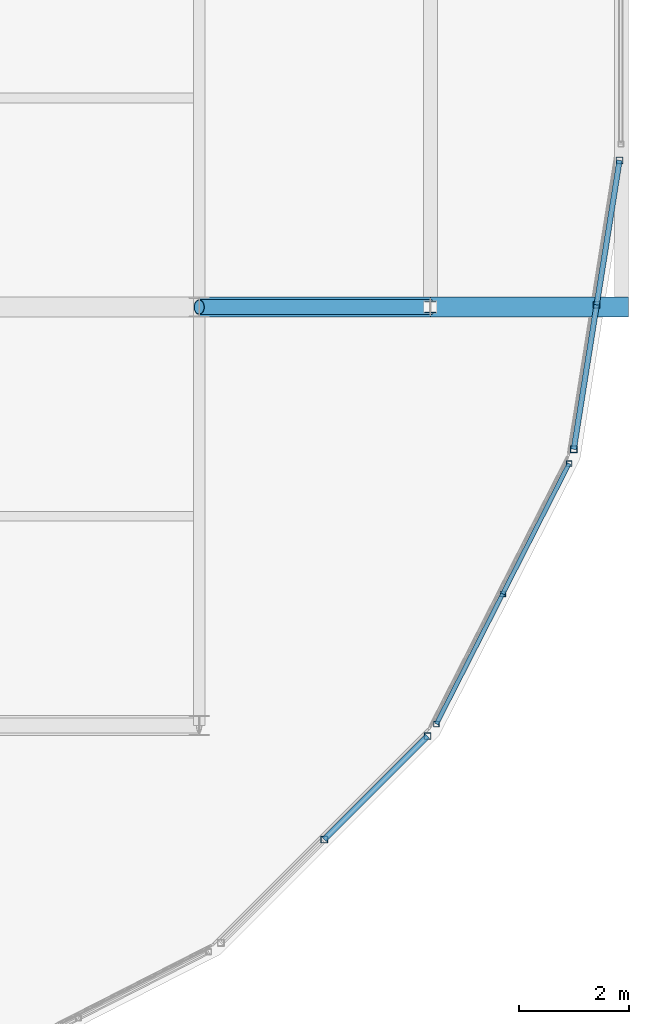
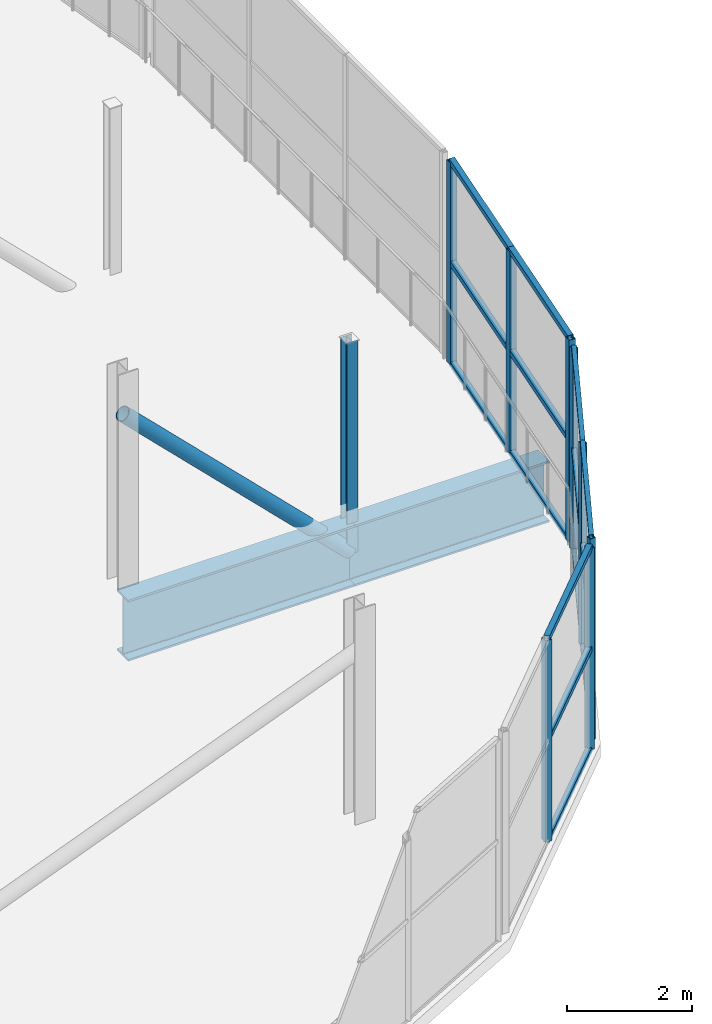
# One storey, part 149 of 217: 25 members, 2 beams, 3 elements without a shape of their own.
"""IFC4 building model written with IfcOpenShell, lengths in metres."""

import ifcopenshell
import ifcopenshell.guid

model = None  # the IFC model being written
_history = None  # IfcOwnerHistory: only IFC2X3 demands one
_inside = {}  # id of a spatial element -> (the spatial element, [elements in it])
_under = {}  # id of a project, library or spatial element -> (it, [spatial elements below it])
_declared = {}  # id of a project -> (the project, [libraries it declares])
_typed = {}  # id of a type object -> (the type object, [elements of that type])
_made_of = {}  # id of a material, layer set ... -> (it, [elements and type objects made of it])


def new_model(schema):
    """Start an empty IFC model of exactly this schema.

    Asked for "IFC4X3", IfcOpenShell would pick the latest addendum, in which some entities
    have other attributes; the version numbers below select the first issue.
    IFC2X3 requires an IfcOwnerHistory on every rooted entity: one is made here for all.
    """
    global model, _history
    if schema == "IFC4X3":
        model = ifcopenshell.file(schema_version=(4, 3, 0, 0))
    else:
        model = ifcopenshell.file(schema=schema)
    _inside.clear()
    _under.clear()
    _declared.clear()
    _typed.clear()
    _made_of.clear()
    _history = None
    if model.schema == "IFC2X3":
        org = make("IfcOrganization", Name="unknown")
        user = make(
            "IfcPersonAndOrganization",
            ThePerson=make("IfcPerson", FamilyName="unknown"),
            TheOrganization=org,
        )
        app = make(
            "IfcApplication",
            ApplicationDeveloper=org,
            Version="unknown",
            ApplicationFullName="unknown",
            ApplicationIdentifier="unknown",
        )
        _history = make(
            "IfcOwnerHistory",
            OwningUser=user,
            OwningApplication=app,
            ChangeAction="ADDED",
            CreationDate=0,
        )
    return model


def make(cls, **values):
    """One entity of the class cls with the attributes given. An attribute that is None is left unset."""
    return model.create_entity(
        cls, **{name: value for name, value in values.items() if value is not None}
    )


def rooted(cls, **values):
    """An entity with a GlobalId (a new one), such as an element, a storey or a relation."""
    return make(cls, GlobalId=ifcopenshell.guid.new(), OwnerHistory=_history, **values)


def si_unit(unit_type, name, prefix=None):
    """IfcSIUnit, for example si_unit("LENGTHUNIT", "METRE", prefix="MILLI")."""
    return make("IfcSIUnit", UnitType=unit_type, Prefix=prefix, Name=name)


def assignment(units):
    """IfcUnitAssignment: the units of a project."""
    return None if units is None else make("IfcUnitAssignment", Units=units)


def point(xyz):
    """IfcCartesianPoint."""
    return None if xyz is None else make("IfcCartesianPoint", Coordinates=xyz)


def direction(xyz):
    """IfcDirection."""
    return None if xyz is None else make("IfcDirection", DirectionRatios=xyz)


def frame(location, z_axis=None, x_axis=None):
    """IfcAxis2Placement3D, a coordinate frame: its origin and axes. An axis left out is left unset."""
    return make(
        "IfcAxis2Placement3D",
        Location=point(location),
        Axis=direction(z_axis),
        RefDirection=direction(x_axis),
    )


def frame_2d(location, x_axis=None):
    """IfcAxis2Placement2D, a coordinate frame in the plane: its origin and x axis."""
    return make(
        "IfcAxis2Placement2D", Location=point(location), RefDirection=direction(x_axis)
    )


def origin():
    """The frame at (0, 0, 0) with its axes left unset."""
    return frame((0.0, 0.0, 0.0))


def origin_2d():
    """The frame at (0, 0) in the plane with its x axis left unset."""
    return frame_2d((0.0, 0.0))


def place(relative_to, where):
    """IfcLocalPlacement: puts the frame where relative to a parent placement (None: the world)."""
    return make(
        "IfcLocalPlacement", PlacementRelTo=relative_to, RelativePlacement=where
    )


def context(
    kind, dimensions, precision=None, world=None, true_north=None, identifier=None
):
    """IfcGeometricRepresentationContext, for example the 3D "Model" context."""
    return make(
        "IfcGeometricRepresentationContext",
        ContextIdentifier=identifier,
        ContextType=kind,
        CoordinateSpaceDimension=dimensions,
        Precision=precision,
        WorldCoordinateSystem=world,
        TrueNorth=true_north,
    )


def subcontext(parent, identifier, kind, view, scale=None):
    """IfcGeometricRepresentationSubContext, for example "Body" below "Model"."""
    return make(
        "IfcGeometricRepresentationSubContext",
        ContextIdentifier=identifier,
        ContextType=kind,
        ParentContext=parent,
        TargetScale=scale,
        TargetView=view,
    )


def project(units=None, contexts=None):
    """IfcProject with its units and contexts."""
    return rooted(
        "IfcProject",
        Name="project",
        RepresentationContexts=contexts,
        UnitsInContext=assignment(units),
    )


def spatial(cls, under=None, at=None, **own):
    """A site, building, storey or space (cls), placed at a placement, below another one or the project."""
    s = rooted(cls, ObjectPlacement=at, **own)
    if under is not None:
        _under.setdefault(under.id(), (under, []))[1].append(s)
    return s


def profile(cls, at=None, kind="AREA", **sizes):
    """A parametric profile (cls). Its sizes go by their IFC names, for example OverallWidth=200.0."""
    return make(cls, ProfileType=kind, Position=at, **sizes)


def hollow_rectangle(**sizes):
    """IfcRectangleHollowProfileDef."""
    return profile("IfcRectangleHollowProfileDef", **sizes)


def hollow_circle(**sizes):
    """IfcCircleHollowProfileDef."""
    return profile("IfcCircleHollowProfileDef", **sizes)


def i_section(**sizes):
    """IfcIShapeProfileDef."""
    return profile("IfcIShapeProfileDef", **sizes)


def extrude(swept, where, along, depth):
    """IfcExtrudedAreaSolid: the profile swept, set in the frame where, extruded along a direction by depth."""
    return make(
        "IfcExtrudedAreaSolid",
        SweptArea=swept,
        Position=where,
        ExtrudedDirection=direction(along),
        Depth=depth,
    )


def shape(context_of_items, identifier, shape_type, items):
    """IfcShapeRepresentation: the items that make up one representation, for example the "Body"."""
    return make(
        "IfcShapeRepresentation",
        ContextOfItems=context_of_items,
        RepresentationIdentifier=identifier,
        RepresentationType=shape_type,
        Items=items,
    )


def material(Name=None, Category=None):
    """IfcMaterial."""
    return make("IfcMaterial", Name=Name, Category=Category)


def material_profile(
    of_material, cross_section, Name=None, Category=None, Priority=None
):
    """IfcMaterialProfile: a cross section and its material."""
    return make(
        "IfcMaterialProfile",
        Name=Name,
        Material=of_material,
        Profile=cross_section,
        Priority=Priority,
        Category=Category,
    )


def profile_set(profiles, Name=None, composite=None):
    """IfcMaterialProfileSet."""
    return make(
        "IfcMaterialProfileSet",
        Name=Name,
        MaterialProfiles=profiles,
        CompositeProfile=composite,
    )


def made_of(thing, what):
    """Note that an element or type object is made of a material, layer set ...; save() writes the relation."""
    if what is not None:
        _made_of.setdefault(what.id(), (what, []))[1].append(thing)
    return thing


def type_object(cls, material=None, **own):
    """A type object (cls), such as IfcWallType, which elements share."""
    return made_of(rooted(cls, **own), material)


def element(
    cls,
    number,
    at=None,
    inside=None,
    cuts=None,
    type_object=None,
    material=None,
    context=None,
    identifier="Body",
    shape_type=None,
    held_by="IfcProductDefinitionShape",
    body=None,
    shapes=None,
    **own,
):
    """One element of the class cls, such as IfcWall. Its Tag is "e" and its number.

    at: its placement. inside: the storey or other place that contains it. cuts: it is an
    opening in that element (IfcRelVoidsElement). A single representation is given by context,
    identifier, shape_type and body (its items); several are given by shapes. held_by: the class
    of the entity that holds the representations. save() writes the other relations.
    """
    e = rooted(cls, Tag="e%d" % number, ObjectPlacement=at, **own)
    if body is not None:
        shapes = [shape(context, identifier, shape_type, body)]
    if shapes is not None:
        e.Representation = make(held_by, Representations=shapes)
    if inside is not None:
        _inside.setdefault(inside.id(), (inside, []))[1].append(e)
    if cuts is not None:
        rooted(
            "IfcRelVoidsElement", RelatingBuildingElement=cuts, RelatedOpeningElement=e
        )
    if type_object is not None:
        _typed.setdefault(type_object.id(), (type_object, []))[1].append(e)
    return made_of(e, material)


def aggregate(whole, parts):
    """IfcRelAggregates: a whole, such as a stair, and the parts it consists of."""
    return rooted("IfcRelAggregates", RelatingObject=whole, RelatedObjects=parts)


def save(model, path):
    """Write the relations noted so far, then the file.

    IfcRelAggregates (storeys below a building ...), IfcRelContainedInSpatialStructure (elements
    in a storey), IfcRelDefinesByType, IfcRelAssociatesMaterial and IfcRelDeclares: one each for
    every whole, place, type object, material and project.
    """
    for whole, parts in _under.values():
        aggregate(whole, parts)
    for where, things in _inside.values():
        rooted(
            "IfcRelContainedInSpatialStructure",
            RelatedElements=things,
            RelatingStructure=where,
        )
    for kind, things in _typed.values():
        rooted("IfcRelDefinesByType", RelatedObjects=things, RelatingType=kind)
    for what, things in _made_of.values():
        rooted("IfcRelAssociatesMaterial", RelatedObjects=things, RelatingMaterial=what)
    for by, libraries in _declared.values():
        rooted("IfcRelDeclares", RelatingContext=by, RelatedDefinitions=libraries)
    model.write(path)


model = new_model("IFC4")

# Units and contexts
model_context = context("Model", 3, precision=1e-05, world=origin(), true_north=direction((0.0, 1.0)))
body_context = subcontext(model_context, "Body", "Model", "MODEL_VIEW")
ifc_project = project(units=[si_unit("LENGTHUNIT", "METRE"), si_unit("AREAUNIT", "SQUARE_METRE"), si_unit("VOLUMEUNIT", "CUBIC_METRE"), si_unit("PLANEANGLEUNIT", "RADIAN"), si_unit("MASSUNIT", "GRAM", prefix="KILO")], contexts=[model_context])

# Site, building, storey
site_placement = place(None, origin())
site = spatial("IfcSite", under=ifc_project, at=site_placement, CompositionType="ELEMENT")
building_placement = place(site_placement, origin())
building = spatial("IfcBuilding", under=site, at=building_placement, Name="Zuvorla Pavilion Media Centre", CompositionType="ELEMENT")
storey_placement = place(building_placement, frame((0.0, 0.0, 9.60009765625)))
storey = spatial("IfcBuildingStorey", under=building, at=storey_placement, Name="L02", CompositionType="ELEMENT", Elevation=9.60009765625)

# Beams
ifc_material_1 = material(Name="Steel S355", Category="steel")
ifc_material_profile_1 = material_profile(ifc_material_1, i_section(OverallWidth=0.360107421875, OverallDepth=1.199951171875, WebThickness=0.02001953125, FlangeThickness=0.0380859375, FilletRadius=0.02392578125, at=origin_2d()), Name="PG 1200x360x38")
ifc_profile_set_1 = profile_set([ifc_material_profile_1], Name="Steel S355")
beam_type = type_object("IfcBeamType", Name="BM-PG1200", PredefinedType="BEAM", material=ifc_profile_set_1)
beam_1_placement = place(storey_placement, frame((167.60009765625, 59.199951171875, -0.8681640625), z_axis=(1.0, 0.0, 0.0), x_axis=(0.0, 1.0, 0.0)))
element("IfcBeam", 1, at=beam_1_placement, inside=storey, type_object=beam_type, Name="L02 beam B01 1669", PredefinedType="BEAM", context=body_context, shape_type="SweptSolid", body=[
    extrude(i_section(OverallWidth=0.360107421875, OverallDepth=1.199951171875, WebThickness=0.02001953125, FlangeThickness=0.0380859375, FilletRadius=0.02392578125, at=origin_2d()), origin(), (0.0, 0.0, 1.0), 4.199951171875),
])
beam_2_placement = place(storey_placement, frame((171.800048828125, 59.199951171875, -0.8681640625), z_axis=(1.0, 0.0, 0.0), x_axis=(0.0, 1.0, 0.0)))
element("IfcBeam", 2, at=beam_2_placement, inside=storey, type_object=beam_type, Name="L02 beam B01 1670", PredefinedType="BEAM", context=body_context, shape_type="SweptSolid", body=[
    extrude(i_section(OverallWidth=0.360107421875, OverallDepth=1.199951171875, WebThickness=0.02001953125, FlangeThickness=0.0380859375, FilletRadius=0.02392578125, at=origin_2d()), origin(), (0.0, 0.0, 1.0), 3.599853515625),
])

# Curtain wall, members
ifc_material_2 = material(Name="Unitised anodised aluminium and solar glass curtain wall", Category="aluminium")
curtain_wall_type_1 = type_object("IfcCurtainWallType", Name="CW-SYS-04", PredefinedType="USERDEFINED", material=ifc_material_2)
curtain_wall_1_placement = place(storey_placement, origin())
curtain_wall_1 = element("IfcCurtainWall", 3, at=curtain_wall_1_placement, inside=storey, type_object=curtain_wall_type_1, Name="L02 curtain wall CW04 4", ObjectType="CURTAIN WALL", PredefinedType="USERDEFINED")
ifc_material_3 = material(Name="Anodised aluminium 6063-T6", Category="aluminium")
ifc_material_profile_2 = material_profile(ifc_material_3, hollow_rectangle(XDim=0.10009765625, YDim=0.10009765625, WallThickness=0.00439453125, at=origin_2d()), Name="ALU MULL 100x100")
ifc_profile_set_2 = profile_set([ifc_material_profile_2], Name="Anodised aluminium 6063-T6")
member_type_1 = type_object("IfcMemberType", Name="CW-MULL-100", PredefinedType="MULLION", material=ifc_profile_set_2)
member_1_placement = place(storey_placement, frame((171.91015625, 51.6259765625, 0.0), z_axis=(0.0, 0.0, 1.0), x_axis=(1.0, 0.0, 0.0)))
member_1 = element("IfcMember", 4, at=member_1_placement, type_object=member_type_1, Name="CW04 mullion 1", PredefinedType="MULLION", context=body_context, shape_type="SweptSolid", body=[
    extrude(hollow_rectangle(XDim=0.10009765625, YDim=0.10009765625, WallThickness=0.00439453125, at=origin_2d()), origin(), (0.0, 0.0, 1.0), 3.949951171875),
])
member_2_placement = place(storey_placement, frame((173.115966796875, 53.992431640625, 0.0), z_axis=(0.0, 0.0, 1.0), x_axis=(1.0, 0.0, 0.0)))
member_2 = element("IfcMember", 5, at=member_2_placement, type_object=member_type_1, Name="CW04 mullion 2", PredefinedType="MULLION", context=body_context, shape_type="SweptSolid", body=[
    extrude(hollow_rectangle(XDim=0.10009765625, YDim=0.10009765625, WallThickness=0.00439453125, at=origin_2d()), origin(), (0.0, 0.0, 1.0), 3.949951171875),
])
member_3_placement = place(storey_placement, frame((174.321533203125, 56.358642578125, 0.0), z_axis=(0.0, 0.0, 1.0), x_axis=(1.0, 0.0, 0.0)))
member_3 = element("IfcMember", 6, at=member_3_placement, type_object=member_type_1, Name="CW04 mullion 3", PredefinedType="MULLION", context=body_context, shape_type="SweptSolid", body=[
    extrude(hollow_rectangle(XDim=0.10009765625, YDim=0.10009765625, WallThickness=0.00439453125, at=origin_2d()), origin(), (0.0, 0.0, 1.0), 3.949951171875),
])

curtain_wall_type_2 = type_object("IfcCurtainWallType", Name="CW-SYS-03", PredefinedType="USERDEFINED", material=ifc_material_2)
curtain_wall_2_placement = place(storey_placement, origin())
curtain_wall_2 = element("IfcCurtainWall", 7, at=curtain_wall_2_placement, inside=storey, type_object=curtain_wall_type_2, Name="L02 curtain wall CW03 3", ObjectType="CURTAIN WALL", PredefinedType="USERDEFINED")
ifc_material_profile_3 = material_profile(ifc_material_3, hollow_rectangle(XDim=0.1201171875, YDim=0.1201171875, WallThickness=0.0048828125, at=origin_2d()), Name="ALU MULL 120x120")
ifc_profile_set_3 = profile_set([ifc_material_profile_3], Name="Anodised aluminium 6063-T6")
member_type_2 = type_object("IfcMemberType", Name="CW-MULL-120", PredefinedType="MULLION", material=ifc_profile_set_3)
member_4_placement = place(storey_placement, frame((169.872314453125, 49.52783203125, 0.0), z_axis=(0.0, 0.0, 1.0), x_axis=(1.0, 0.0, 0.0)))
member_4 = element("IfcMember", 8, at=member_4_placement, type_object=member_type_2, Name="CW03 mullion 2", PredefinedType="MULLION", context=body_context, shape_type="SweptSolid", body=[
    extrude(hollow_rectangle(XDim=0.1201171875, YDim=0.1201171875, WallThickness=0.0048828125, at=origin_2d()), origin(), (0.0, 0.0, 1.0), 3.949951171875),
])
member_5_placement = place(storey_placement, frame((171.750244140625, 51.40576171875, 0.0), z_axis=(0.0, 0.0, 1.0), x_axis=(1.0, 0.0, 0.0)))
member_5 = element("IfcMember", 9, at=member_5_placement, type_object=member_type_2, Name="CW03 mullion 3", PredefinedType="MULLION", context=body_context, shape_type="SweptSolid", body=[
    extrude(hollow_rectangle(XDim=0.1201171875, YDim=0.1201171875, WallThickness=0.0048828125, at=origin_2d()), origin(), (0.0, 0.0, 1.0), 3.949951171875),
])

curtain_wall_type_3 = type_object("IfcCurtainWallType", Name="CW-SYS-02", PredefinedType="USERDEFINED", material=ifc_material_2)
curtain_wall_3_placement = place(storey_placement, origin())
curtain_wall_3 = element("IfcCurtainWall", 10, at=curtain_wall_3_placement, inside=storey, type_object=curtain_wall_type_3, Name="L02 curtain wall CW02 5", ObjectType="CURTAIN WALL", PredefinedType="USERDEFINED")
member_6_placement = place(storey_placement, frame((174.40576171875, 56.61767578125, 0.0), z_axis=(0.0, 0.0, 1.0), x_axis=(1.0, 0.0, 0.0)))
member_6 = element("IfcMember", 11, at=member_6_placement, type_object=member_type_2, Name="CW02 mullion 1", PredefinedType="MULLION", context=body_context, shape_type="SweptSolid", body=[
    extrude(hollow_rectangle(XDim=0.1201171875, YDim=0.1201171875, WallThickness=0.0048828125, at=origin_2d()), origin(), (0.0, 0.0, 1.0), 3.949951171875),
])
member_7_placement = place(storey_placement, frame((174.8212890625, 59.24072265625, 0.0), z_axis=(0.0, 0.0, 1.0), x_axis=(1.0, 0.0, 0.0)))
member_7 = element("IfcMember", 12, at=member_7_placement, type_object=member_type_2, Name="CW02 mullion 2", PredefinedType="MULLION", context=body_context, shape_type="SweptSolid", body=[
    extrude(hollow_rectangle(XDim=0.1201171875, YDim=0.1201171875, WallThickness=0.0048828125, at=origin_2d()), origin(), (0.0, 0.0, 1.0), 3.949951171875),
])
member_8_placement = place(storey_placement, frame((175.23681640625, 61.864013671875, 0.0), z_axis=(0.0, 0.0, 1.0), x_axis=(1.0, 0.0, 0.0)))
member_8 = element("IfcMember", 13, at=member_8_placement, type_object=member_type_2, Name="CW02 mullion 3", PredefinedType="MULLION", context=body_context, shape_type="SweptSolid", body=[
    extrude(hollow_rectangle(XDim=0.1201171875, YDim=0.1201171875, WallThickness=0.0048828125, at=origin_2d()), origin(), (0.0, 0.0, 1.0), 3.949951171875),
])

# Member
ifc_material_profile_4 = material_profile(ifc_material_3, hollow_rectangle(XDim=0.10009765625, YDim=0.10009765625, WallThickness=0.00439453125, at=origin_2d()), Name="ALU TRAN 100x100")
ifc_profile_set_4 = profile_set([ifc_material_profile_4], Name="Anodised aluminium 6063-T6")
member_type_3 = type_object("IfcMemberType", Name="CW-TRAN-100", PredefinedType="USERDEFINED", material=ifc_profile_set_4)
member_9_placement = place(storey_placement, frame((169.872314453125, 49.52783203125, 0.0), z_axis=(0.707106781187, 0.707106781187, 0.0), x_axis=(-0.707106781187, 0.707106781187, 0.0)))
member_9 = element("IfcMember", 14, at=member_9_placement, type_object=member_type_3, Name="CW03 transom 2.1", ObjectType="TRANSOM", PredefinedType="USERDEFINED", context=body_context, shape_type="SweptSolid", body=[
    extrude(hollow_rectangle(XDim=0.10009765625, YDim=0.10009765625, WallThickness=0.00439453125, at=origin_2d()), origin(), (0.0, 0.0, 1.0), 2.65576171875),
])

member_10_placement = place(storey_placement, frame((169.872314453125, 49.52783203125, 1.974853515625), z_axis=(0.707106781187, 0.707106781187, 0.0), x_axis=(-0.707106781187, 0.707106781187, 0.0)))
member_10 = element("IfcMember", 15, at=member_10_placement, type_object=member_type_3, Name="CW03 transom 2.2", ObjectType="TRANSOM", PredefinedType="USERDEFINED", context=body_context, shape_type="SweptSolid", body=[
    extrude(hollow_rectangle(XDim=0.10009765625, YDim=0.10009765625, WallThickness=0.00439453125, at=origin_2d()), origin(), (0.0, 0.0, 1.0), 2.65576171875),
])

member_11_placement = place(storey_placement, frame((169.872314453125, 49.52783203125, 3.949951171875), z_axis=(0.707106781187, 0.707106781187, 0.0), x_axis=(-0.707106781187, 0.707106781187, 0.0)))
member_11 = element("IfcMember", 16, at=member_11_placement, type_object=member_type_3, Name="CW03 transom 2.3", ObjectType="TRANSOM", PredefinedType="USERDEFINED", context=body_context, shape_type="SweptSolid", body=[
    extrude(hollow_rectangle(XDim=0.10009765625, YDim=0.10009765625, WallThickness=0.00439453125, at=origin_2d()), origin(), (0.0, 0.0, 1.0), 2.65576171875),
])

aggregate(curtain_wall_2, [member_4, member_5, member_9, member_10, member_11])

member_12_placement = place(storey_placement, frame((174.40576171875, 56.61767578125, 0.0), z_axis=(0.156462944686, 0.987683829441, 0.0), x_axis=(-0.987683829441, 0.156462944686, 0.0)))
member_12 = element("IfcMember", 17, at=member_12_placement, type_object=member_type_3, Name="CW02 transom 1.1", ObjectType="TRANSOM", PredefinedType="USERDEFINED", context=body_context, shape_type="SweptSolid", body=[
    extrude(hollow_rectangle(XDim=0.10009765625, YDim=0.10009765625, WallThickness=0.00439453125, at=origin_2d()), origin(), (0.0, 0.0, 1.0), 2.65576171875),
])

member_13_placement = place(storey_placement, frame((174.40576171875, 56.61767578125, 1.974853515625), z_axis=(0.156462944686, 0.987683829441, 0.0), x_axis=(-0.987683829441, 0.156462944686, 0.0)))
member_13 = element("IfcMember", 18, at=member_13_placement, type_object=member_type_3, Name="CW02 transom 1.2", ObjectType="TRANSOM", PredefinedType="USERDEFINED", context=body_context, shape_type="SweptSolid", body=[
    extrude(hollow_rectangle(XDim=0.10009765625, YDim=0.10009765625, WallThickness=0.00439453125, at=origin_2d()), origin(), (0.0, 0.0, 1.0), 2.65576171875),
])

member_14_placement = place(storey_placement, frame((174.40576171875, 56.61767578125, 3.949951171875), z_axis=(0.156462944686, 0.987683829441, 0.0), x_axis=(-0.987683829441, 0.156462944686, 0.0)))
member_14 = element("IfcMember", 19, at=member_14_placement, type_object=member_type_3, Name="CW02 transom 1.3", ObjectType="TRANSOM", PredefinedType="USERDEFINED", context=body_context, shape_type="SweptSolid", body=[
    extrude(hollow_rectangle(XDim=0.10009765625, YDim=0.10009765625, WallThickness=0.00439453125, at=origin_2d()), origin(), (0.0, 0.0, 1.0), 2.65576171875),
])

member_15_placement = place(storey_placement, frame((174.8212890625, 59.24072265625, 0.0), z_axis=(0.156448739647, 0.987686079614, 0.0), x_axis=(-0.987686079614, 0.156448739647, 0.0)))
member_15 = element("IfcMember", 20, at=member_15_placement, type_object=member_type_3, Name="CW02 transom 2.1", ObjectType="TRANSOM", PredefinedType="USERDEFINED", context=body_context, shape_type="SweptSolid", body=[
    extrude(hollow_rectangle(XDim=0.10009765625, YDim=0.10009765625, WallThickness=0.00439453125, at=origin_2d()), origin(), (0.0, 0.0, 1.0), 2.656005859375),
])

member_16_placement = place(storey_placement, frame((174.8212890625, 59.24072265625, 1.974853515625), z_axis=(0.156448739647, 0.987686079614, 0.0), x_axis=(-0.987686079614, 0.156448739647, 0.0)))
member_16 = element("IfcMember", 21, at=member_16_placement, type_object=member_type_3, Name="CW02 transom 2.2", ObjectType="TRANSOM", PredefinedType="USERDEFINED", context=body_context, shape_type="SweptSolid", body=[
    extrude(hollow_rectangle(XDim=0.10009765625, YDim=0.10009765625, WallThickness=0.00439453125, at=origin_2d()), origin(), (0.0, 0.0, 1.0), 2.656005859375),
])

member_17_placement = place(storey_placement, frame((174.8212890625, 59.24072265625, 3.949951171875), z_axis=(0.156448739647, 0.987686079614, 0.0), x_axis=(-0.987686079614, 0.156448739647, 0.0)))
member_17 = element("IfcMember", 22, at=member_17_placement, type_object=member_type_3, Name="CW02 transom 2.3", ObjectType="TRANSOM", PredefinedType="USERDEFINED", context=body_context, shape_type="SweptSolid", body=[
    extrude(hollow_rectangle(XDim=0.10009765625, YDim=0.10009765625, WallThickness=0.00439453125, at=origin_2d()), origin(), (0.0, 0.0, 1.0), 2.656005859375),
])

aggregate(curtain_wall_3, [member_6, member_7, member_8, member_12, member_13, member_14, member_15, member_16, member_17])

ifc_material_profile_5 = material_profile(ifc_material_3, hollow_rectangle(XDim=0.080078125, YDim=0.080078125, WallThickness=0.00390625, at=origin_2d()), Name="ALU TRAN 80x80")
ifc_profile_set_5 = profile_set([ifc_material_profile_5], Name="Anodised aluminium 6063-T6")
member_type_4 = type_object("IfcMemberType", Name="CW-TRAN-80", PredefinedType="USERDEFINED", material=ifc_profile_set_5)
member_18_placement = place(storey_placement, frame((171.91015625, 51.6259765625, 0.0), z_axis=(0.454002892375, 0.891000209717, 0.0), x_axis=(-0.891000209717, 0.454002892375, 0.0)))
member_18 = element("IfcMember", 23, at=member_18_placement, type_object=member_type_4, Name="CW04 transom 1.1", ObjectType="TRANSOM", PredefinedType="USERDEFINED", context=body_context, shape_type="SweptSolid", body=[
    extrude(hollow_rectangle(XDim=0.080078125, YDim=0.080078125, WallThickness=0.00390625, at=origin_2d()), origin(), (0.0, 0.0, 1.0), 2.656005859375),
])

member_19_placement = place(storey_placement, frame((171.91015625, 51.6259765625, 1.974853515625), z_axis=(0.454002892375, 0.891000209717, 0.0), x_axis=(-0.891000209717, 0.454002892375, 0.0)))
member_19 = element("IfcMember", 24, at=member_19_placement, type_object=member_type_4, Name="CW04 transom 1.2", ObjectType="TRANSOM", PredefinedType="USERDEFINED", context=body_context, shape_type="SweptSolid", body=[
    extrude(hollow_rectangle(XDim=0.080078125, YDim=0.080078125, WallThickness=0.00390625, at=origin_2d()), origin(), (0.0, 0.0, 1.0), 2.656005859375),
])

member_20_placement = place(storey_placement, frame((171.91015625, 51.6259765625, 3.949951171875), z_axis=(0.454002892375, 0.891000209717, 0.0), x_axis=(-0.891000209717, 0.454002892375, 0.0)))
member_20 = element("IfcMember", 25, at=member_20_placement, type_object=member_type_4, Name="CW04 transom 1.3", ObjectType="TRANSOM", PredefinedType="USERDEFINED", context=body_context, shape_type="SweptSolid", body=[
    extrude(hollow_rectangle(XDim=0.080078125, YDim=0.080078125, WallThickness=0.00390625, at=origin_2d()), origin(), (0.0, 0.0, 1.0), 2.656005859375),
])

member_21_placement = place(storey_placement, frame((173.115966796875, 53.992431640625, 0.0), z_axis=(0.45396709639, 0.891018448403, 0.0), x_axis=(-0.891018448403, 0.45396709639, 0.0)))
member_21 = element("IfcMember", 26, at=member_21_placement, type_object=member_type_4, Name="CW04 transom 2.1", ObjectType="TRANSOM", PredefinedType="USERDEFINED", context=body_context, shape_type="SweptSolid", body=[
    extrude(hollow_rectangle(XDim=0.080078125, YDim=0.080078125, WallThickness=0.00390625, at=origin_2d()), origin(), (0.0, 0.0, 1.0), 2.655517578125),
])

member_22_placement = place(storey_placement, frame((173.115966796875, 53.992431640625, 1.974853515625), z_axis=(0.45396709639, 0.891018448403, 0.0), x_axis=(-0.891018448403, 0.45396709639, 0.0)))
member_22 = element("IfcMember", 27, at=member_22_placement, type_object=member_type_4, Name="CW04 transom 2.2", ObjectType="TRANSOM", PredefinedType="USERDEFINED", context=body_context, shape_type="SweptSolid", body=[
    extrude(hollow_rectangle(XDim=0.080078125, YDim=0.080078125, WallThickness=0.00390625, at=origin_2d()), origin(), (0.0, 0.0, 1.0), 2.655517578125),
])

member_23_placement = place(storey_placement, frame((173.115966796875, 53.992431640625, 3.949951171875), z_axis=(0.45396709639, 0.891018448403, 0.0), x_axis=(-0.891018448403, 0.45396709639, 0.0)))
member_23 = element("IfcMember", 28, at=member_23_placement, type_object=member_type_4, Name="CW04 transom 2.3", ObjectType="TRANSOM", PredefinedType="USERDEFINED", context=body_context, shape_type="SweptSolid", body=[
    extrude(hollow_rectangle(XDim=0.080078125, YDim=0.080078125, WallThickness=0.00390625, at=origin_2d()), origin(), (0.0, 0.0, 1.0), 2.655517578125),
])

aggregate(curtain_wall_1, [member_1, member_2, member_3, member_18, member_19, member_20, member_21, member_22, member_23])

# Members
ifc_material_profile_6 = material_profile(ifc_material_1, hollow_circle(Radius=0.136474609375, WallThickness=0.012451171875, at=origin_2d()), Name="CHS 273x12.5")
ifc_profile_set_6 = profile_set([ifc_material_profile_6], Name="Steel S355")
member_type_5 = type_object("IfcMemberType", Name="MEM-BRC-CHS273", PredefinedType="BRACE", material=ifc_profile_set_6)
member_24_placement = place(storey_placement, frame((167.60009765625, 59.199951171875, 3.27978515625), z_axis=(0.711332384643, 0.0, -0.702855773654), x_axis=(0.0, 1.0, 0.0)))
element("IfcMember", 29, at=member_24_placement, inside=storey, type_object=member_type_5, Name="L02 diagonal brace TB01 3", PredefinedType="BRACE", context=body_context, shape_type="SweptSolid", body=[
    extrude(hollow_circle(Radius=0.136474609375, WallThickness=0.012451171875, at=origin_2d()), origin(), (0.0, 0.0, 1.0), 5.904296875),
])
ifc_material_profile_7 = material_profile(ifc_material_1, i_section(OverallWidth=0.205810546875, OverallDepth=0.209716796875, WebThickness=0.009521484375, FlangeThickness=0.01416015625, FilletRadius=0.01025390625, at=origin_2d()), Name="UC 203x203x60")
ifc_profile_set_7 = profile_set([ifc_material_profile_7], Name="Steel S355")
member_type_6 = type_object("IfcMemberType", Name="MEM-STR-UC203", PredefinedType="STRUT", material=ifc_profile_set_7)
member_25_placement = place(storey_placement, frame((171.800048828125, 59.199951171875, -0.8701171875), z_axis=(0.0, 0.0, 1.0), x_axis=(1.0, 0.0, 0.0)))
element("IfcMember", 30, at=member_25_placement, inside=storey, type_object=member_type_6, Name="L02 vertical strut TS02 4", PredefinedType="STRUT", context=body_context, shape_type="SweptSolid", body=[
    extrude(i_section(OverallWidth=0.205810546875, OverallDepth=0.209716796875, WebThickness=0.009521484375, FlangeThickness=0.01416015625, FilletRadius=0.01025390625, at=origin_2d()), origin(), (0.0, 0.0, 1.0), 4.14990234375),
])

save(model, "model.ifc")
